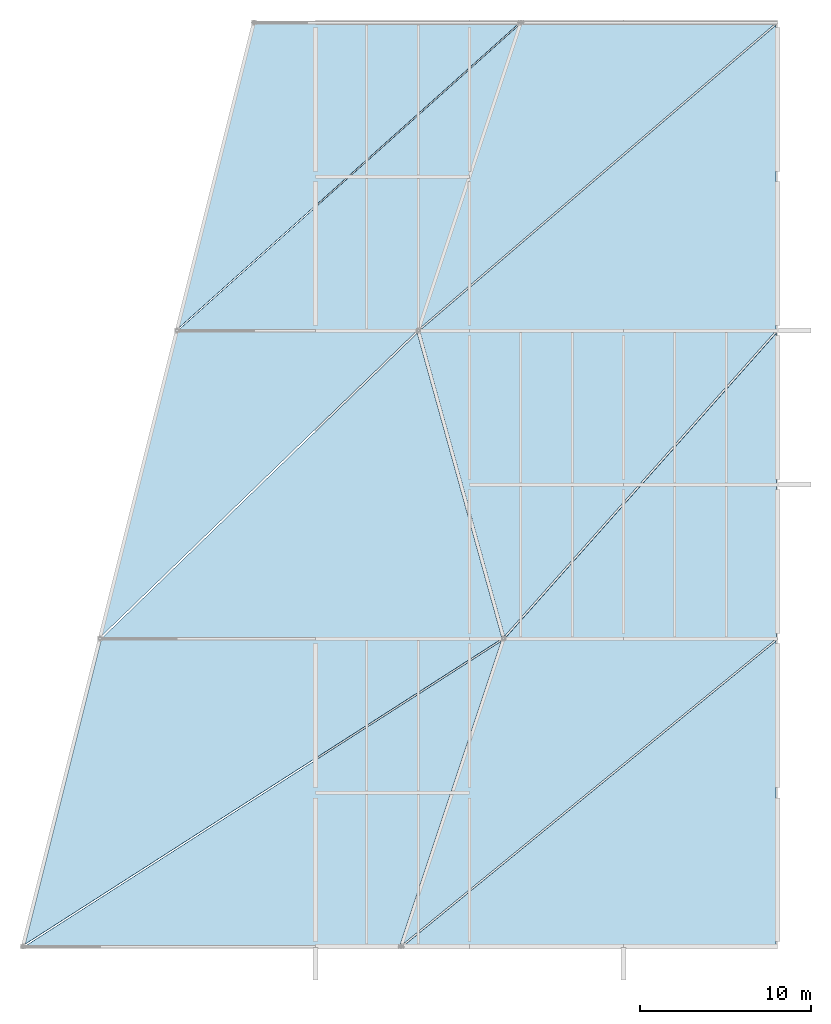
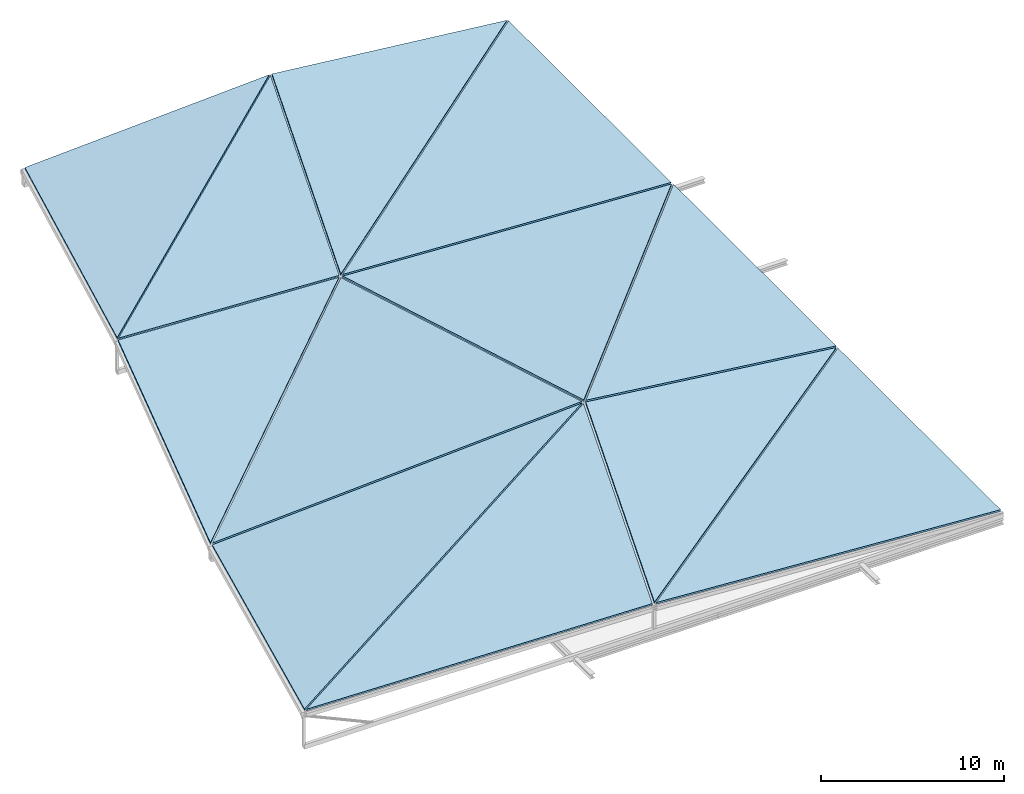
# One storey, part 18 of 18: 12 roofs.
"""IFC4 building model written with IfcOpenShell, lengths in metres."""

from ifc_helpers import new_model, si_unit, direction, frame, origin, place, context, subcontext, project, spatial, polyline, outline, extrude, material, layer, layer_set, type_object, element, save


model = new_model("IFC4")

# Units and contexts
model_context = context("Model", 3, precision=1e-05, world=origin(), true_north=direction((0.0, 1.0)))
body_context = subcontext(model_context, "Body", "Model", "MODEL_VIEW")
ifc_project = project(units=[si_unit("LENGTHUNIT", "METRE"), si_unit("AREAUNIT", "SQUARE_METRE"), si_unit("VOLUMEUNIT", "CUBIC_METRE"), si_unit("PLANEANGLEUNIT", "RADIAN"), si_unit("MASSUNIT", "GRAM", prefix="KILO")], contexts=[model_context])

# Site, building, storey
site_placement = place(None, origin())
site = spatial("IfcSite", under=ifc_project, at=site_placement, CompositionType="ELEMENT")
building_placement = place(site_placement, origin())
building = spatial("IfcBuilding", under=site, at=building_placement, Name="Deido Ridge Mobility Hub", CompositionType="ELEMENT")
storey_placement = place(building_placement, frame((0.0, 0.0, 29.39990234375)))
storey = spatial("IfcBuildingStorey", under=building, at=storey_placement, Name="RF", CompositionType="ELEMENT", Elevation=29.39990234375)

# Roofs
ifc_material = material(Name="Standing-seam aluminium roofing EN AW-3004", Category="aluminium")
ifc_layer = layer(ifc_material, 0.110107421875, Name="Standing-seam aluminium roofing EN AW-3004")
ifc_layer_set = layer_set([ifc_layer], Name="Standing-seam aluminium roofing EN AW-3004")
roof_type = type_object("IfcRoofType", Name="ROOF-SAWTOOTH-SHED", PredefinedType="SHED_ROOF", material=ifc_layer_set)
roof_1_placement = place(storey_placement, frame((136.100830078125, 0.072021484375, 2.349365234375), z_axis=(0.027119844211, -0.036782990012, 0.998955217062), x_axis=(0.999631690973, 0.0, -0.027138209266)))
element("IfcRoof", 1, at=roof_1_placement, inside=storey, type_object=roof_type, Name="Fractured crystal standing-seam roof facet 1", PredefinedType="SHED_ROOF", context=body_context, shape_type="SweptSolid", body=[
    extrude(outline(polyline([(0.0, 0.0), (21.84276168317415, 3.469446951953614e-18), (27.755153404652308, 17.795978497576083), (0.0, 0.0)])), origin(), (0.0, 0.0, -1.0), 0.110107421875),
])
roof_2_placement = place(storey_placement, frame((136.030517578125, 0.14404296875, 2.34619140625), z_axis=(-0.054773765198, 0.091036355177, 0.994340091056), x_axis=(0.84204981993, 0.539391422783, -0.002998963884)))
element("IfcRoof", 2, at=roof_2_placement, inside=storey, type_object=roof_type, Name="Fractured crystal standing-seam roof facet 2", PredefinedType="SHED_ROOF", context=body_context, shape_type="SweptSolid", body=[
    extrude(outline(polyline([(0.0, 0.0), (32.97037141437708, -1.8214596497756474e-15), (13.340236513684962, 12.648522401147128), (0.0, 0.0)])), origin(), (0.0, 0.0, -1.0), 0.110107421875),
])
roof_3_placement = place(storey_placement, frame((158.176025390625, 0.072021484375, 1.74072265625), z_axis=(0.064862953664, 0.0, 0.997894181385), x_axis=(0.997894181385, 0.0, -0.064862953664)))
element("IfcRoof", 3, at=roof_3_placement, inside=storey, type_object=roof_type, Name="Fractured crystal standing-seam roof facet 3", PredefinedType="SHED_ROOF", context=body_context, shape_type="SweptSolid", body=[
    extrude(outline(polyline([(0.0, 0.0), (21.78195282610814, 0.0), (21.78195282610814, 17.783935546875004), (0.0, 0.0)])), origin(), (0.0, 0.0, -1.0), 0.110107421875),
])
roof_4_placement = place(storey_placement, frame((158.112060546875, 0.14404296875, 1.748291015625), z_axis=(0.119494764263, -0.067354728704, 0.990547496002), x_axis=(0.772978607743, 0.632439410579, -0.050244043615)))
element("IfcRoof", 4, at=roof_4_placement, inside=storey, type_object=roof_type, Name="Fractured crystal standing-seam roof facet 4", PredefinedType="SHED_ROOF", context=body_context, shape_type="SweptSolid", body=[
    extrude(outline(polyline([(0.0, 0.0), (28.119587820442018, 2.4702462297909733e-15), (15.804634671657865, 10.092917847174885), (0.0, 0.0)])), origin(), (0.0, 0.0, -1.0), 0.110107421875),
])
roof_5_placement = place(storey_placement, frame((140.56884765625, 18.072021484375, 0.959228515625), z_axis=(-0.054979470557, 0.029080053458, 0.99806392997), x_axis=(0.998486203947, 0.0, 0.055002731993)))
element("IfcRoof", 5, at=roof_5_placement, inside=storey, type_object=roof_type, Name="Fractured crystal standing-seam roof facet 5", PredefinedType="SHED_ROOF", context=body_context, shape_type="SweptSolid", body=[
    extrude(outline(polyline([(0.0, 0.0), (23.352000556887802, 0.0), (18.376069479218692, 17.791459807559793), (0.0, 0.0)])), origin(), (0.0, 0.0, -1.0), 0.110107421875),
])
roof_6_placement = place(storey_placement, frame((140.492431640625, 18.14404296875, 0.958984375), z_axis=(0.0494344706, -0.078734001386, 0.995669217231), x_axis=(0.718467697097, 0.695292243489, 0.019309696314)))
element("IfcRoof", 6, at=roof_6_placement, inside=storey, type_object=roof_type, Name="Fractured crystal standing-seam roof facet 6", PredefinedType="SHED_ROOF", context=body_context, shape_type="SweptSolid", body=[
    extrude(outline(polyline([(0.0, 0.0), (25.577641219805457, 1.519617764955683e-15), (15.582264650782959, 9.728012578554615), (0.0, 0.0)])), origin(), (0.0, 0.0, -1.0), 0.110107421875),
])
roof_7_placement = place(storey_placement, frame((164.1279296875, 18.072021484375, 2.23681640625), z_axis=(0.119764920401, 0.0, 0.992802278322), x_axis=(0.992802278322, 0.0, -0.119764920401)))
element("IfcRoof", 7, at=roof_7_placement, inside=storey, type_object=roof_type, Name="Fractured crystal standing-seam roof facet 7", PredefinedType="SHED_ROOF", context=body_context, shape_type="SweptSolid", body=[
    extrude(outline(polyline([(0.0, 0.0), (15.92271272329134, 0.0), (15.92271272329134, 17.783935546875), (0.0, 0.0)])), origin(), (0.0, 0.0, -1.0), 0.110107421875),
])
roof_8_placement = place(storey_placement, frame((164.0439453125, 18.14404296875, 2.2412109375), z_axis=(0.053638125543, 0.05920903319, 0.996803512171), x_axis=(0.662244204528, 0.745017059312, -0.079888640642)))
element("IfcRoof", 8, at=roof_8_placement, inside=storey, type_object=roof_type, Name="Fractured crystal standing-seam roof facet 8", PredefinedType="SHED_ROOF", context=body_context, shape_type="SweptSolid", body=[
    extrude(outline(polyline([(0.0, 0.0), (23.87050782878044, -1.5308934675495323e-15), (10.04104195200725, 15.507217501274509), (0.0, 0.0)])), origin(), (0.0, 0.0, -1.0), 0.110107421875),
])
roof_9_placement = place(storey_placement, frame((145.036865234375, 36.072021484375, 2.1484375), z_axis=(0.049539864453, -0.044237722315, 0.99779197519), x_axis=(0.99876973803, 0.0, -0.049588409882)))
element("IfcRoof", 9, at=roof_9_placement, inside=storey, type_object=roof_type, Name="Fractured crystal standing-seam roof facet 9", PredefinedType="SHED_ROOF", context=body_context, shape_type="SweptSolid", body=[
    extrude(outline(polyline([(0.0, 0.0), (13.947823539358415, 0.0), (19.844005440607734, 17.801362497341913), (0.0, 0.0)])), origin(), (0.0, 0.0, -1.0), 0.110107421875),
])
roof_10_placement = place(storey_placement, frame((144.998291015625, 36.14404296875, 2.147216796875), z_axis=(-0.051103817038, 0.06813210975, 0.99636660698), x_axis=(0.744932650261, 0.66709853511, -0.007408848001)))
element("IfcRoof", 10, at=roof_10_placement, inside=storey, type_object=roof_type, Name="Fractured crystal standing-seam roof facet 10", PredefinedType="SHED_ROOF", context=body_context, shape_type="SweptSolid", body=[
    extrude(outline(polyline([(0.0, 0.0), (26.65863378628144, -7.112366251504909e-16), (15.182961595413163, 10.319378542550211), (0.0, 0.0)])), origin(), (0.0, 0.0, -1.0), 0.110107421875),
])
roof_11_placement = place(storey_placement, frame((159.16796875, 36.072021484375, 1.443115234375), z_axis=(0.053732393318, 0.0, 0.998555371478), x_axis=(0.998555371478, 0.0, -0.053732393318)))
element("IfcRoof", 11, at=roof_11_placement, inside=storey, type_object=roof_type, Name="Fractured crystal standing-seam roof facet 11", PredefinedType="SHED_ROOF", context=body_context, shape_type="SweptSolid", body=[
    extrude(outline(polyline([(0.0, 0.0), (20.7780634580961, 0.0), (20.7780634580961, 17.783935546875), (0.0, 0.0)])), origin(), (0.0, 0.0, -1.0), 0.110107421875),
])
roof_12_placement = place(storey_placement, frame((159.10791015625, 36.14404296875, 1.44970703125), z_axis=(0.107822525388, -0.063494624517, 0.992140481825), x_axis=(0.758625334323, 0.650246460841, -0.040830653761)))
element("IfcRoof", 12, at=roof_12_placement, inside=storey, type_object=roof_type, Name="Fractured crystal standing-seam roof facet 12", PredefinedType="SHED_ROOF", context=body_context, shape_type="SweptSolid", body=[
    extrude(outline(polyline([(0.0, 0.0), (27.34953070543914, -7.771561172376096e-16), (16.040889716110964, 9.713036789282707), (0.0, 0.0)])), origin(), (0.0, 0.0, -1.0), 0.110107421875),
])

save(model, "model.ifc")
